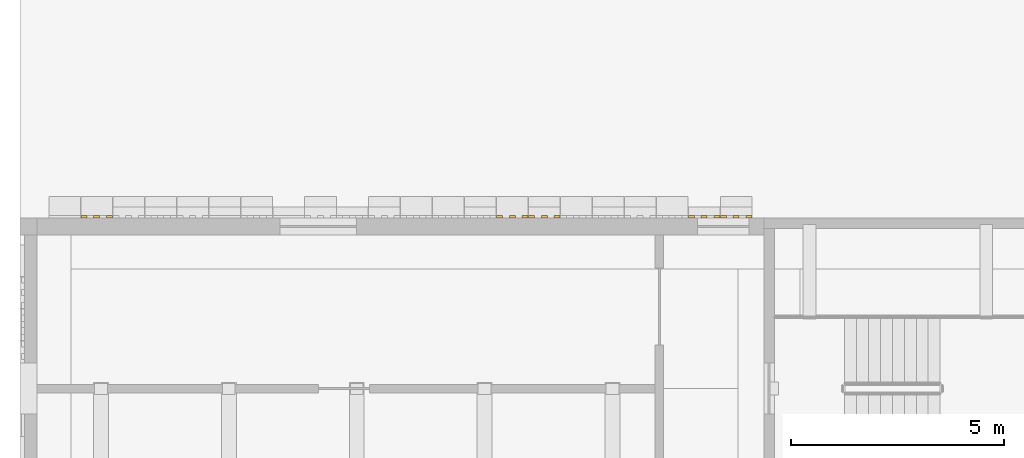
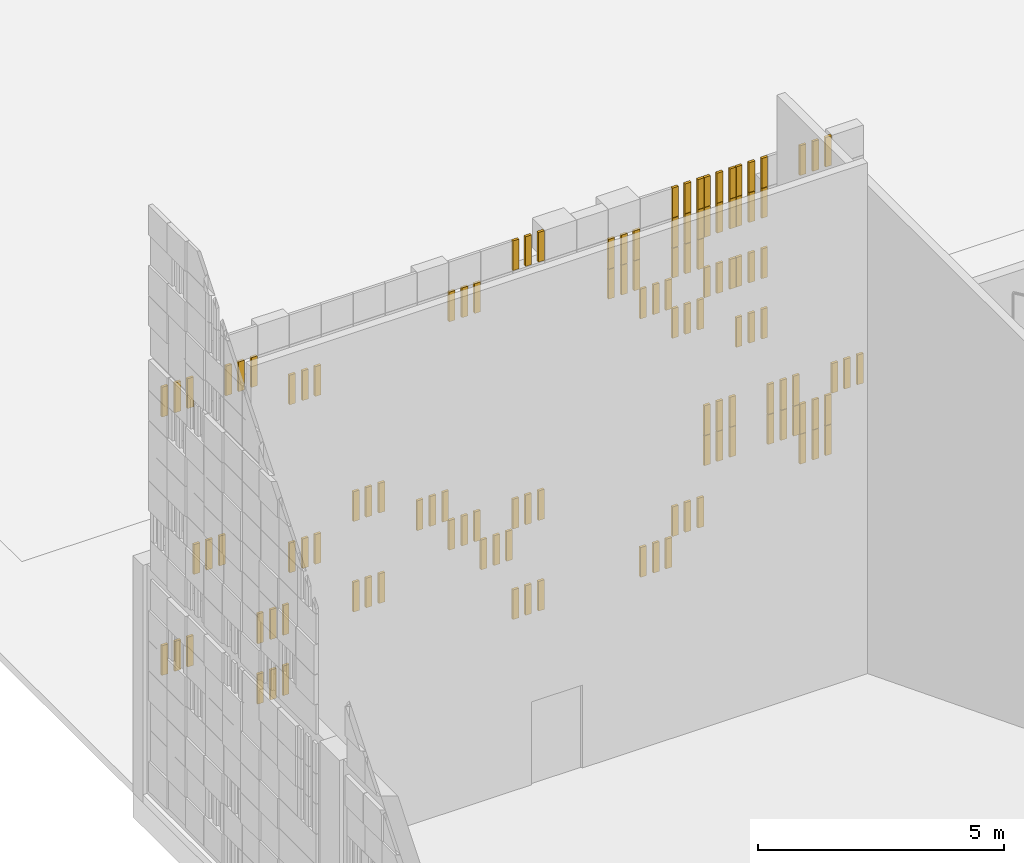
# One storey, part 113 of 125: 1 covering.
"""IFC4 building model written with IfcOpenShell, lengths in metres."""

from ifc_helpers import new_model, si_unit, direction, frame, origin, origin_2d, place, context, subcontext, project, spatial, rectangle, extrude, material, layer, layer_set, type_object, element, save


model = new_model("IFC4")

# Units and contexts
model_context = context("Model", 3, precision=1e-05, world=origin(), true_north=direction((0.0, 1.0)))
body_context = subcontext(model_context, "Body", "Model", "MODEL_VIEW")
ifc_project = project(units=[si_unit("LENGTHUNIT", "METRE"), si_unit("AREAUNIT", "SQUARE_METRE"), si_unit("VOLUMEUNIT", "CUBIC_METRE"), si_unit("PLANEANGLEUNIT", "RADIAN"), si_unit("MASSUNIT", "GRAM", prefix="KILO")], contexts=[model_context])

# Site, building, storey
site_placement = place(None, origin())
site = spatial("IfcSite", under=ifc_project, at=site_placement, CompositionType="ELEMENT")
building_placement = place(site_placement, origin())
building = spatial("IfcBuilding", under=site, at=building_placement, Name="Sun Court Science Centre", CompositionType="ELEMENT")
storey_placement = place(building_placement, origin())
storey = spatial("IfcBuildingStorey", under=building, at=storey_placement, Name="L00", CompositionType="ELEMENT", Elevation=0.0)

# Covering
ifc_material = material(Name="Terracotta jali", Category="masonry")
ifc_layer = layer(ifc_material, 0.06005859375)
ifc_layer_set = layer_set([ifc_layer], Name="Terracotta jali")
covering_type = type_object("IfcCoveringType", Name="Terracotta open jali panel", PredefinedType="CLADDING", material=ifc_layer_set)
covering_placement = place(storey_placement, origin())
element("IfcCovering", 1, at=covering_placement, inside=storey, type_object=covering_type, Name="Open jali pixel cladding north wall L00", PredefinedType="CLADDING", context=body_context, shape_type="SweptSolid", body=[
    extrude(rectangle(XDim=0.139892578125, YDim=0.06005859375, at=origin_2d()), frame((3.0, 72.030029296875, 0.97998046875), z_axis=(0.0, 0.0, 1.0), x_axis=(1.0, 0.0, 0.0)), (0.0, 0.0, 1.0), 0.739990234375),
    extrude(rectangle(XDim=0.139892578125, YDim=0.06005859375, at=origin_2d()), frame((3.300048828125, 72.030029296875, 0.97998046875), z_axis=(0.0, 0.0, 1.0), x_axis=(1.0, 0.0, 0.0)), (0.0, 0.0, 1.0), 0.739990234375),
    extrude(rectangle(XDim=0.139892578125, YDim=0.06005859375, at=origin_2d()), frame((3.60009765625, 72.030029296875, 0.97998046875), z_axis=(0.0, 0.0, 1.0), x_axis=(1.0, 0.0, 0.0)), (0.0, 0.0, 1.0), 0.739990234375),
    extrude(rectangle(XDim=0.139892578125, YDim=0.06005859375, at=origin_2d()), frame((9.0, 72.030029296875, 0.97998046875), z_axis=(0.0, 0.0, 1.0), x_axis=(1.0, 0.0, 0.0)), (0.0, 0.0, 1.0), 0.739990234375),
    extrude(rectangle(XDim=0.139892578125, YDim=0.06005859375, at=origin_2d()), frame((9.300048828125, 72.030029296875, 0.97998046875), z_axis=(0.0, 0.0, 1.0), x_axis=(1.0, 0.0, 0.0)), (0.0, 0.0, 1.0), 0.739990234375),
    extrude(rectangle(XDim=0.139892578125, YDim=0.06005859375, at=origin_2d()), frame((9.60009765625, 72.030029296875, 0.97998046875), z_axis=(0.0, 0.0, 1.0), x_axis=(1.0, 0.0, 0.0)), (0.0, 0.0, 1.0), 0.739990234375),
    extrude(rectangle(XDim=0.139892578125, YDim=0.06005859375, at=origin_2d()), frame((12.0, 72.030029296875, 0.97998046875), z_axis=(0.0, 0.0, 1.0), x_axis=(1.0, 0.0, 0.0)), (0.0, 0.0, 1.0), 0.739990234375),
    extrude(rectangle(XDim=0.139892578125, YDim=0.06005859375, at=origin_2d()), frame((12.300048828125, 72.030029296875, 0.97998046875), z_axis=(0.0, 0.0, 1.0), x_axis=(1.0, 0.0, 0.0)), (0.0, 0.0, 1.0), 0.739990234375),
    extrude(rectangle(XDim=0.139892578125, YDim=0.06005859375, at=origin_2d()), frame((12.60009765625, 72.030029296875, 0.97998046875), z_axis=(0.0, 0.0, 1.0), x_axis=(1.0, 0.0, 0.0)), (0.0, 0.0, 1.0), 0.739990234375),
    extrude(rectangle(XDim=0.139892578125, YDim=0.06005859375, at=origin_2d()), frame((12.75, 72.030029296875, 1.72998046875), z_axis=(0.0, 0.0, 1.0), x_axis=(1.0, 0.0, 0.0)), (0.0, 0.0, 1.0), 0.739990234375),
    extrude(rectangle(XDim=0.139892578125, YDim=0.06005859375, at=origin_2d()), frame((13.050048828125, 72.030029296875, 1.72998046875), z_axis=(0.0, 0.0, 1.0), x_axis=(1.0, 0.0, 0.0)), (0.0, 0.0, 1.0), 0.739990234375),
    extrude(rectangle(XDim=0.139892578125, YDim=0.06005859375, at=origin_2d()), frame((13.35009765625, 72.030029296875, 1.72998046875), z_axis=(0.0, 0.0, 1.0), x_axis=(1.0, 0.0, 0.0)), (0.0, 0.0, 1.0), 0.739990234375),
    extrude(rectangle(XDim=0.139892578125, YDim=0.06005859375, at=origin_2d()), frame((0.75, 72.030029296875, 2.47998046875), z_axis=(0.0, 0.0, 1.0), x_axis=(1.0, 0.0, 0.0)), (0.0, 0.0, 1.0), 0.739990234375),
    extrude(rectangle(XDim=0.139892578125, YDim=0.06005859375, at=origin_2d()), frame((1.050048828125, 72.030029296875, 2.47998046875), z_axis=(0.0, 0.0, 1.0), x_axis=(1.0, 0.0, 0.0)), (0.0, 0.0, 1.0), 0.739990234375),
    extrude(rectangle(XDim=0.139892578125, YDim=0.06005859375, at=origin_2d()), frame((1.35009765625, 72.030029296875, 2.47998046875), z_axis=(0.0, 0.0, 1.0), x_axis=(1.0, 0.0, 0.0)), (0.0, 0.0, 1.0), 0.739990234375),
    extrude(rectangle(XDim=0.139892578125, YDim=0.06005859375, at=origin_2d()), frame((3.0, 72.030029296875, 2.47998046875), z_axis=(0.0, 0.0, 1.0), x_axis=(1.0, 0.0, 0.0)), (0.0, 0.0, 1.0), 0.739990234375),
    extrude(rectangle(XDim=0.139892578125, YDim=0.06005859375, at=origin_2d()), frame((3.300048828125, 72.030029296875, 2.47998046875), z_axis=(0.0, 0.0, 1.0), x_axis=(1.0, 0.0, 0.0)), (0.0, 0.0, 1.0), 0.739990234375),
    extrude(rectangle(XDim=0.139892578125, YDim=0.06005859375, at=origin_2d()), frame((3.60009765625, 72.030029296875, 2.47998046875), z_axis=(0.0, 0.0, 1.0), x_axis=(1.0, 0.0, 0.0)), (0.0, 0.0, 1.0), 0.739990234375),
    extrude(rectangle(XDim=0.139892578125, YDim=0.06005859375, at=origin_2d()), frame((5.25, 72.030029296875, 2.47998046875), z_axis=(0.0, 0.0, 1.0), x_axis=(1.0, 0.0, 0.0)), (0.0, 0.0, 1.0), 0.739990234375),
    extrude(rectangle(XDim=0.139892578125, YDim=0.06005859375, at=origin_2d()), frame((5.550048828125, 72.030029296875, 2.47998046875), z_axis=(0.0, 0.0, 1.0), x_axis=(1.0, 0.0, 0.0)), (0.0, 0.0, 1.0), 0.739990234375),
    extrude(rectangle(XDim=0.139892578125, YDim=0.06005859375, at=origin_2d()), frame((5.85009765625, 72.030029296875, 2.47998046875), z_axis=(0.0, 0.0, 1.0), x_axis=(1.0, 0.0, 0.0)), (0.0, 0.0, 1.0), 0.739990234375),
    extrude(rectangle(XDim=0.139892578125, YDim=0.06005859375, at=origin_2d()), frame((8.25, 72.030029296875, 2.47998046875), z_axis=(0.0, 0.0, 1.0), x_axis=(1.0, 0.0, 0.0)), (0.0, 0.0, 1.0), 0.739990234375),
    extrude(rectangle(XDim=0.139892578125, YDim=0.06005859375, at=origin_2d()), frame((8.550048828125, 72.030029296875, 2.47998046875), z_axis=(0.0, 0.0, 1.0), x_axis=(1.0, 0.0, 0.0)), (0.0, 0.0, 1.0), 0.739990234375),
    extrude(rectangle(XDim=0.139892578125, YDim=0.06005859375, at=origin_2d()), frame((8.85009765625, 72.030029296875, 2.47998046875), z_axis=(0.0, 0.0, 1.0), x_axis=(1.0, 0.0, 0.0)), (0.0, 0.0, 1.0), 0.739990234375),
    extrude(rectangle(XDim=0.139892578125, YDim=0.06005859375, at=origin_2d()), frame((15.75, 72.030029296875, 2.47998046875), z_axis=(0.0, 0.0, 1.0), x_axis=(1.0, 0.0, 0.0)), (0.0, 0.0, 1.0), 0.739990234375),
    extrude(rectangle(XDim=0.139892578125, YDim=0.06005859375, at=origin_2d()), frame((16.050048828125, 72.030029296875, 2.47998046875), z_axis=(0.0, 0.0, 1.0), x_axis=(1.0, 0.0, 0.0)), (0.0, 0.0, 1.0), 0.739990234375),
    extrude(rectangle(XDim=0.139892578125, YDim=0.06005859375, at=origin_2d()), frame((16.35009765625, 72.030029296875, 2.47998046875), z_axis=(0.0, 0.0, 1.0), x_axis=(1.0, 0.0, 0.0)), (0.0, 0.0, 1.0), 0.739990234375),
    extrude(rectangle(XDim=0.139892578125, YDim=0.06005859375, at=origin_2d()), frame((7.5, 72.030029296875, 3.22998046875), z_axis=(0.0, 0.0, 1.0), x_axis=(1.0, 0.0, 0.0)), (0.0, 0.0, 1.0), 0.739990234375),
    extrude(rectangle(XDim=0.139892578125, YDim=0.06005859375, at=origin_2d()), frame((7.800048828125, 72.030029296875, 3.22998046875), z_axis=(0.0, 0.0, 1.0), x_axis=(1.0, 0.0, 0.0)), (0.0, 0.0, 1.0), 0.739990234375),
    extrude(rectangle(XDim=0.139892578125, YDim=0.06005859375, at=origin_2d()), frame((8.10009765625, 72.030029296875, 3.22998046875), z_axis=(0.0, 0.0, 1.0), x_axis=(1.0, 0.0, 0.0)), (0.0, 0.0, 1.0), 0.739990234375),
    extrude(rectangle(XDim=0.139892578125, YDim=0.06005859375, at=origin_2d()), frame((9.0, 72.030029296875, 3.22998046875), z_axis=(0.0, 0.0, 1.0), x_axis=(1.0, 0.0, 0.0)), (0.0, 0.0, 1.0), 0.739990234375),
    extrude(rectangle(XDim=0.139892578125, YDim=0.06005859375, at=origin_2d()), frame((9.300048828125, 72.030029296875, 3.22998046875), z_axis=(0.0, 0.0, 1.0), x_axis=(1.0, 0.0, 0.0)), (0.0, 0.0, 1.0), 0.739990234375),
    extrude(rectangle(XDim=0.139892578125, YDim=0.06005859375, at=origin_2d()), frame((9.60009765625, 72.030029296875, 3.22998046875), z_axis=(0.0, 0.0, 1.0), x_axis=(1.0, 0.0, 0.0)), (0.0, 0.0, 1.0), 0.739990234375),
    extrude(rectangle(XDim=0.139892578125, YDim=0.06005859375, at=origin_2d()), frame((13.5, 72.030029296875, 3.22998046875), z_axis=(0.0, 0.0, 1.0), x_axis=(1.0, 0.0, 0.0)), (0.0, 0.0, 1.0), 0.739990234375),
    extrude(rectangle(XDim=0.139892578125, YDim=0.06005859375, at=origin_2d()), frame((13.800048828125, 72.030029296875, 3.22998046875), z_axis=(0.0, 0.0, 1.0), x_axis=(1.0, 0.0, 0.0)), (0.0, 0.0, 1.0), 0.739990234375),
    extrude(rectangle(XDim=0.139892578125, YDim=0.06005859375, at=origin_2d()), frame((14.10009765625, 72.030029296875, 3.22998046875), z_axis=(0.0, 0.0, 1.0), x_axis=(1.0, 0.0, 0.0)), (0.0, 0.0, 1.0), 0.739990234375),
    extrude(rectangle(XDim=0.139892578125, YDim=0.06005859375, at=origin_2d()), frame((15.0, 72.030029296875, 3.22998046875), z_axis=(0.0, 0.0, 1.0), x_axis=(1.0, 0.0, 0.0)), (0.0, 0.0, 1.0), 0.739990234375),
    extrude(rectangle(XDim=0.139892578125, YDim=0.06005859375, at=origin_2d()), frame((15.300048828125, 72.030029296875, 3.22998046875), z_axis=(0.0, 0.0, 1.0), x_axis=(1.0, 0.0, 0.0)), (0.0, 0.0, 1.0), 0.739990234375),
    extrude(rectangle(XDim=0.139892578125, YDim=0.06005859375, at=origin_2d()), frame((15.60009765625, 72.030029296875, 3.22998046875), z_axis=(0.0, 0.0, 1.0), x_axis=(1.0, 0.0, 0.0)), (0.0, 0.0, 1.0), 0.739990234375),
    extrude(rectangle(XDim=0.139892578125, YDim=0.06005859375, at=origin_2d()), frame((15.75, 72.030029296875, 3.22998046875), z_axis=(0.0, 0.0, 1.0), x_axis=(1.0, 0.0, 0.0)), (0.0, 0.0, 1.0), 0.739990234375),
    extrude(rectangle(XDim=0.139892578125, YDim=0.06005859375, at=origin_2d()), frame((16.050048828125, 72.030029296875, 3.22998046875), z_axis=(0.0, 0.0, 1.0), x_axis=(1.0, 0.0, 0.0)), (0.0, 0.0, 1.0), 0.739990234375),
    extrude(rectangle(XDim=0.139892578125, YDim=0.06005859375, at=origin_2d()), frame((16.35009765625, 72.030029296875, 3.22998046875), z_axis=(0.0, 0.0, 1.0), x_axis=(1.0, 0.0, 0.0)), (0.0, 0.0, 1.0), 0.739990234375),
    extrude(rectangle(XDim=0.139892578125, YDim=0.06005859375, at=origin_2d()), frame((3.75, 72.030029296875, 3.97998046875), z_axis=(0.0, 0.0, 1.0), x_axis=(1.0, 0.0, 0.0)), (0.0, 0.0, 1.0), 0.739990234375),
    extrude(rectangle(XDim=0.139892578125, YDim=0.06005859375, at=origin_2d()), frame((4.050048828125, 72.030029296875, 3.97998046875), z_axis=(0.0, 0.0, 1.0), x_axis=(1.0, 0.0, 0.0)), (0.0, 0.0, 1.0), 0.739990234375),
    extrude(rectangle(XDim=0.139892578125, YDim=0.06005859375, at=origin_2d()), frame((4.35009765625, 72.030029296875, 3.97998046875), z_axis=(0.0, 0.0, 1.0), x_axis=(1.0, 0.0, 0.0)), (0.0, 0.0, 1.0), 0.739990234375),
    extrude(rectangle(XDim=0.139892578125, YDim=0.06005859375, at=origin_2d()), frame((6.75, 72.030029296875, 3.97998046875), z_axis=(0.0, 0.0, 1.0), x_axis=(1.0, 0.0, 0.0)), (0.0, 0.0, 1.0), 0.739990234375),
    extrude(rectangle(XDim=0.139892578125, YDim=0.06005859375, at=origin_2d()), frame((7.050048828125, 72.030029296875, 3.97998046875), z_axis=(0.0, 0.0, 1.0), x_axis=(1.0, 0.0, 0.0)), (0.0, 0.0, 1.0), 0.739990234375),
    extrude(rectangle(XDim=0.139892578125, YDim=0.06005859375, at=origin_2d()), frame((7.35009765625, 72.030029296875, 3.97998046875), z_axis=(0.0, 0.0, 1.0), x_axis=(1.0, 0.0, 0.0)), (0.0, 0.0, 1.0), 0.739990234375),
    extrude(rectangle(XDim=0.139892578125, YDim=0.06005859375, at=origin_2d()), frame((13.5, 72.030029296875, 3.97998046875), z_axis=(0.0, 0.0, 1.0), x_axis=(1.0, 0.0, 0.0)), (0.0, 0.0, 1.0), 0.739990234375),
    extrude(rectangle(XDim=0.139892578125, YDim=0.06005859375, at=origin_2d()), frame((13.800048828125, 72.030029296875, 3.97998046875), z_axis=(0.0, 0.0, 1.0), x_axis=(1.0, 0.0, 0.0)), (0.0, 0.0, 1.0), 0.739990234375),
    extrude(rectangle(XDim=0.139892578125, YDim=0.06005859375, at=origin_2d()), frame((14.10009765625, 72.030029296875, 3.97998046875), z_axis=(0.0, 0.0, 1.0), x_axis=(1.0, 0.0, 0.0)), (0.0, 0.0, 1.0), 0.739990234375),
    extrude(rectangle(XDim=0.139892578125, YDim=0.06005859375, at=origin_2d()), frame((15.0, 72.030029296875, 3.97998046875), z_axis=(0.0, 0.0, 1.0), x_axis=(1.0, 0.0, 0.0)), (0.0, 0.0, 1.0), 0.739990234375),
    extrude(rectangle(XDim=0.139892578125, YDim=0.06005859375, at=origin_2d()), frame((15.300048828125, 72.030029296875, 3.97998046875), z_axis=(0.0, 0.0, 1.0), x_axis=(1.0, 0.0, 0.0)), (0.0, 0.0, 1.0), 0.739990234375),
    extrude(rectangle(XDim=0.139892578125, YDim=0.06005859375, at=origin_2d()), frame((15.60009765625, 72.030029296875, 3.97998046875), z_axis=(0.0, 0.0, 1.0), x_axis=(1.0, 0.0, 0.0)), (0.0, 0.0, 1.0), 0.739990234375),
    extrude(rectangle(XDim=0.139892578125, YDim=0.06005859375, at=origin_2d()), frame((16.5, 72.030029296875, 3.97998046875), z_axis=(0.0, 0.0, 1.0), x_axis=(1.0, 0.0, 0.0)), (0.0, 0.0, 1.0), 0.739990234375),
    extrude(rectangle(XDim=0.139892578125, YDim=0.06005859375, at=origin_2d()), frame((16.800048828125, 72.030029296875, 3.97998046875), z_axis=(0.0, 0.0, 1.0), x_axis=(1.0, 0.0, 0.0)), (0.0, 0.0, 1.0), 0.739990234375),
    extrude(rectangle(XDim=0.139892578125, YDim=0.06005859375, at=origin_2d()), frame((17.10009765625, 72.030029296875, 3.97998046875), z_axis=(0.0, 0.0, 1.0), x_axis=(1.0, 0.0, 0.0)), (0.0, 0.0, 1.0), 0.739990234375),
    extrude(rectangle(XDim=0.139892578125, YDim=0.06005859375, at=origin_2d()), frame((1.5, 72.030029296875, 4.72998046875), z_axis=(0.0, 0.0, 1.0), x_axis=(1.0, 0.0, 0.0)), (0.0, 0.0, 1.0), 0.739990234375),
    extrude(rectangle(XDim=0.139892578125, YDim=0.06005859375, at=origin_2d()), frame((1.800048828125, 72.030029296875, 4.72998046875), z_axis=(0.0, 0.0, 1.0), x_axis=(1.0, 0.0, 0.0)), (0.0, 0.0, 1.0), 0.739990234375),
    extrude(rectangle(XDim=0.139892578125, YDim=0.06005859375, at=origin_2d()), frame((2.10009765625, 72.030029296875, 4.72998046875), z_axis=(0.0, 0.0, 1.0), x_axis=(1.0, 0.0, 0.0)), (0.0, 0.0, 1.0), 0.739990234375),
    extrude(rectangle(XDim=0.139892578125, YDim=0.06005859375, at=origin_2d()), frame((5.25, 72.030029296875, 4.72998046875), z_axis=(0.0, 0.0, 1.0), x_axis=(1.0, 0.0, 0.0)), (0.0, 0.0, 1.0), 0.739990234375),
    extrude(rectangle(XDim=0.139892578125, YDim=0.06005859375, at=origin_2d()), frame((5.550048828125, 72.030029296875, 4.72998046875), z_axis=(0.0, 0.0, 1.0), x_axis=(1.0, 0.0, 0.0)), (0.0, 0.0, 1.0), 0.739990234375),
    extrude(rectangle(XDim=0.139892578125, YDim=0.06005859375, at=origin_2d()), frame((5.85009765625, 72.030029296875, 4.72998046875), z_axis=(0.0, 0.0, 1.0), x_axis=(1.0, 0.0, 0.0)), (0.0, 0.0, 1.0), 0.739990234375),
    extrude(rectangle(XDim=0.139892578125, YDim=0.06005859375, at=origin_2d()), frame((14.25, 72.030029296875, 5.90478515625), z_axis=(0.0, 0.0, 1.0), x_axis=(1.0, 0.0, 0.0)), (0.0, 0.0, 1.0), 0.739990234375),
    extrude(rectangle(XDim=0.139892578125, YDim=0.06005859375, at=origin_2d()), frame((14.550048828125, 72.030029296875, 5.90478515625), z_axis=(0.0, 0.0, 1.0), x_axis=(1.0, 0.0, 0.0)), (0.0, 0.0, 1.0), 0.739990234375),
    extrude(rectangle(XDim=0.139892578125, YDim=0.06005859375, at=origin_2d()), frame((14.85009765625, 72.030029296875, 5.90478515625), z_axis=(0.0, 0.0, 1.0), x_axis=(1.0, 0.0, 0.0)), (0.0, 0.0, 1.0), 0.739990234375),
    extrude(rectangle(XDim=0.139892578125, YDim=0.06005859375, at=origin_2d()), frame((12.75, 72.030029296875, 6.65478515625), z_axis=(0.0, 0.0, 1.0), x_axis=(1.0, 0.0, 0.0)), (0.0, 0.0, 1.0), 0.739990234375),
    extrude(rectangle(XDim=0.139892578125, YDim=0.06005859375, at=origin_2d()), frame((13.050048828125, 72.030029296875, 6.65478515625), z_axis=(0.0, 0.0, 1.0), x_axis=(1.0, 0.0, 0.0)), (0.0, 0.0, 1.0), 0.739990234375),
    extrude(rectangle(XDim=0.139892578125, YDim=0.06005859375, at=origin_2d()), frame((13.35009765625, 72.030029296875, 6.65478515625), z_axis=(0.0, 0.0, 1.0), x_axis=(1.0, 0.0, 0.0)), (0.0, 0.0, 1.0), 0.739990234375),
    extrude(rectangle(XDim=0.139892578125, YDim=0.06005859375, at=origin_2d()), frame((12.0, 72.030029296875, 7.40478515625), z_axis=(0.0, 0.0, 1.0), x_axis=(1.0, 0.0, 0.0)), (0.0, 0.0, 1.0), 0.739990234375),
    extrude(rectangle(XDim=0.139892578125, YDim=0.06005859375, at=origin_2d()), frame((12.300048828125, 72.030029296875, 7.40478515625), z_axis=(0.0, 0.0, 1.0), x_axis=(1.0, 0.0, 0.0)), (0.0, 0.0, 1.0), 0.739990234375),
    extrude(rectangle(XDim=0.139892578125, YDim=0.06005859375, at=origin_2d()), frame((12.60009765625, 72.030029296875, 7.40478515625), z_axis=(0.0, 0.0, 1.0), x_axis=(1.0, 0.0, 0.0)), (0.0, 0.0, 1.0), 0.739990234375),
    extrude(rectangle(XDim=0.139892578125, YDim=0.06005859375, at=origin_2d()), frame((13.5, 72.030029296875, 7.40478515625), z_axis=(0.0, 0.0, 1.0), x_axis=(1.0, 0.0, 0.0)), (0.0, 0.0, 1.0), 0.739990234375),
    extrude(rectangle(XDim=0.139892578125, YDim=0.06005859375, at=origin_2d()), frame((13.800048828125, 72.030029296875, 7.40478515625), z_axis=(0.0, 0.0, 1.0), x_axis=(1.0, 0.0, 0.0)), (0.0, 0.0, 1.0), 0.739990234375),
    extrude(rectangle(XDim=0.139892578125, YDim=0.06005859375, at=origin_2d()), frame((14.10009765625, 72.030029296875, 7.40478515625), z_axis=(0.0, 0.0, 1.0), x_axis=(1.0, 0.0, 0.0)), (0.0, 0.0, 1.0), 0.739990234375),
    extrude(rectangle(XDim=0.139892578125, YDim=0.06005859375, at=origin_2d()), frame((14.25, 72.030029296875, 7.40478515625), z_axis=(0.0, 0.0, 1.0), x_axis=(1.0, 0.0, 0.0)), (0.0, 0.0, 1.0), 0.739990234375),
    extrude(rectangle(XDim=0.139892578125, YDim=0.06005859375, at=origin_2d()), frame((14.550048828125, 72.030029296875, 7.40478515625), z_axis=(0.0, 0.0, 1.0), x_axis=(1.0, 0.0, 0.0)), (0.0, 0.0, 1.0), 0.739990234375),
    extrude(rectangle(XDim=0.139892578125, YDim=0.06005859375, at=origin_2d()), frame((14.85009765625, 72.030029296875, 7.40478515625), z_axis=(0.0, 0.0, 1.0), x_axis=(1.0, 0.0, 0.0)), (0.0, 0.0, 1.0), 0.739990234375),
    extrude(rectangle(XDim=0.139892578125, YDim=0.06005859375, at=origin_2d()), frame((3.75, 72.030029296875, 8.15478515625), z_axis=(0.0, 0.0, 1.0), x_axis=(1.0, 0.0, 0.0)), (0.0, 0.0, 1.0), 0.739990234375),
    extrude(rectangle(XDim=0.139892578125, YDim=0.06005859375, at=origin_2d()), frame((4.050048828125, 72.030029296875, 8.15478515625), z_axis=(0.0, 0.0, 1.0), x_axis=(1.0, 0.0, 0.0)), (0.0, 0.0, 1.0), 0.739990234375),
    extrude(rectangle(XDim=0.139892578125, YDim=0.06005859375, at=origin_2d()), frame((4.35009765625, 72.030029296875, 8.15478515625), z_axis=(0.0, 0.0, 1.0), x_axis=(1.0, 0.0, 0.0)), (0.0, 0.0, 1.0), 0.739990234375),
    extrude(rectangle(XDim=0.139892578125, YDim=0.06005859375, at=origin_2d()), frame((11.25, 72.030029296875, 8.15478515625), z_axis=(0.0, 0.0, 1.0), x_axis=(1.0, 0.0, 0.0)), (0.0, 0.0, 1.0), 0.739990234375),
    extrude(rectangle(XDim=0.139892578125, YDim=0.06005859375, at=origin_2d()), frame((11.550048828125, 72.030029296875, 8.15478515625), z_axis=(0.0, 0.0, 1.0), x_axis=(1.0, 0.0, 0.0)), (0.0, 0.0, 1.0), 0.739990234375),
    extrude(rectangle(XDim=0.139892578125, YDim=0.06005859375, at=origin_2d()), frame((11.85009765625, 72.030029296875, 8.15478515625), z_axis=(0.0, 0.0, 1.0), x_axis=(1.0, 0.0, 0.0)), (0.0, 0.0, 1.0), 0.739990234375),
    extrude(rectangle(XDim=0.139892578125, YDim=0.06005859375, at=origin_2d()), frame((12.75, 72.030029296875, 8.15478515625), z_axis=(0.0, 0.0, 1.0), x_axis=(1.0, 0.0, 0.0)), (0.0, 0.0, 1.0), 0.739990234375),
    extrude(rectangle(XDim=0.139892578125, YDim=0.06005859375, at=origin_2d()), frame((13.050048828125, 72.030029296875, 8.15478515625), z_axis=(0.0, 0.0, 1.0), x_axis=(1.0, 0.0, 0.0)), (0.0, 0.0, 1.0), 0.739990234375),
    extrude(rectangle(XDim=0.139892578125, YDim=0.06005859375, at=origin_2d()), frame((13.35009765625, 72.030029296875, 8.15478515625), z_axis=(0.0, 0.0, 1.0), x_axis=(1.0, 0.0, 0.0)), (0.0, 0.0, 1.0), 0.739990234375),
    extrude(rectangle(XDim=0.139892578125, YDim=0.06005859375, at=origin_2d()), frame((0.75, 72.030029296875, 8.90478515625), z_axis=(0.0, 0.0, 1.0), x_axis=(1.0, 0.0, 0.0)), (0.0, 0.0, 1.0), 0.739990234375),
    extrude(rectangle(XDim=0.139892578125, YDim=0.06005859375, at=origin_2d()), frame((1.050048828125, 72.030029296875, 8.90478515625), z_axis=(0.0, 0.0, 1.0), x_axis=(1.0, 0.0, 0.0)), (0.0, 0.0, 1.0), 0.739990234375),
    extrude(rectangle(XDim=0.139892578125, YDim=0.06005859375, at=origin_2d()), frame((1.35009765625, 72.030029296875, 8.90478515625), z_axis=(0.0, 0.0, 1.0), x_axis=(1.0, 0.0, 0.0)), (0.0, 0.0, 1.0), 0.739990234375),
    extrude(rectangle(XDim=0.139892578125, YDim=0.06005859375, at=origin_2d()), frame((2.25, 72.030029296875, 8.90478515625), z_axis=(0.0, 0.0, 1.0), x_axis=(1.0, 0.0, 0.0)), (0.0, 0.0, 1.0), 0.739990234375),
    extrude(rectangle(XDim=0.139892578125, YDim=0.06005859375, at=origin_2d()), frame((2.550048828125, 72.030029296875, 8.90478515625), z_axis=(0.0, 0.0, 1.0), x_axis=(1.0, 0.0, 0.0)), (0.0, 0.0, 1.0), 0.739990234375),
    extrude(rectangle(XDim=0.139892578125, YDim=0.06005859375, at=origin_2d()), frame((2.85009765625, 72.030029296875, 8.90478515625), z_axis=(0.0, 0.0, 1.0), x_axis=(1.0, 0.0, 0.0)), (0.0, 0.0, 1.0), 0.739990234375),
    extrude(rectangle(XDim=0.139892578125, YDim=0.06005859375, at=origin_2d()), frame((7.5, 72.030029296875, 8.90478515625), z_axis=(0.0, 0.0, 1.0), x_axis=(1.0, 0.0, 0.0)), (0.0, 0.0, 1.0), 0.739990234375),
    extrude(rectangle(XDim=0.139892578125, YDim=0.06005859375, at=origin_2d()), frame((7.800048828125, 72.030029296875, 8.90478515625), z_axis=(0.0, 0.0, 1.0), x_axis=(1.0, 0.0, 0.0)), (0.0, 0.0, 1.0), 0.739990234375),
    extrude(rectangle(XDim=0.139892578125, YDim=0.06005859375, at=origin_2d()), frame((8.10009765625, 72.030029296875, 8.90478515625), z_axis=(0.0, 0.0, 1.0), x_axis=(1.0, 0.0, 0.0)), (0.0, 0.0, 1.0), 0.739990234375),
    extrude(rectangle(XDim=0.139892578125, YDim=0.06005859375, at=origin_2d()), frame((11.25, 72.030029296875, 8.90478515625), z_axis=(0.0, 0.0, 1.0), x_axis=(1.0, 0.0, 0.0)), (0.0, 0.0, 1.0), 0.739990234375),
    extrude(rectangle(XDim=0.139892578125, YDim=0.06005859375, at=origin_2d()), frame((11.550048828125, 72.030029296875, 8.90478515625), z_axis=(0.0, 0.0, 1.0), x_axis=(1.0, 0.0, 0.0)), (0.0, 0.0, 1.0), 0.739990234375),
    extrude(rectangle(XDim=0.139892578125, YDim=0.06005859375, at=origin_2d()), frame((11.85009765625, 72.030029296875, 8.90478515625), z_axis=(0.0, 0.0, 1.0), x_axis=(1.0, 0.0, 0.0)), (0.0, 0.0, 1.0), 0.739990234375),
    extrude(rectangle(XDim=0.139892578125, YDim=0.06005859375, at=origin_2d()), frame((12.75, 72.030029296875, 8.90478515625), z_axis=(0.0, 0.0, 1.0), x_axis=(1.0, 0.0, 0.0)), (0.0, 0.0, 1.0), 0.739990234375),
    extrude(rectangle(XDim=0.139892578125, YDim=0.06005859375, at=origin_2d()), frame((13.050048828125, 72.030029296875, 8.90478515625), z_axis=(0.0, 0.0, 1.0), x_axis=(1.0, 0.0, 0.0)), (0.0, 0.0, 1.0), 0.739990234375),
    extrude(rectangle(XDim=0.139892578125, YDim=0.06005859375, at=origin_2d()), frame((13.35009765625, 72.030029296875, 8.90478515625), z_axis=(0.0, 0.0, 1.0), x_axis=(1.0, 0.0, 0.0)), (0.0, 0.0, 1.0), 0.739990234375),
    extrude(rectangle(XDim=0.139892578125, YDim=0.06005859375, at=origin_2d()), frame((13.5, 72.030029296875, 8.90478515625), z_axis=(0.0, 0.0, 1.0), x_axis=(1.0, 0.0, 0.0)), (0.0, 0.0, 1.0), 0.739990234375),
    extrude(rectangle(XDim=0.139892578125, YDim=0.06005859375, at=origin_2d()), frame((13.800048828125, 72.030029296875, 8.90478515625), z_axis=(0.0, 0.0, 1.0), x_axis=(1.0, 0.0, 0.0)), (0.0, 0.0, 1.0), 0.739990234375),
    extrude(rectangle(XDim=0.139892578125, YDim=0.06005859375, at=origin_2d()), frame((14.10009765625, 72.030029296875, 8.90478515625), z_axis=(0.0, 0.0, 1.0), x_axis=(1.0, 0.0, 0.0)), (0.0, 0.0, 1.0), 0.739990234375),
    extrude(rectangle(XDim=0.139892578125, YDim=0.06005859375, at=origin_2d()), frame((14.25, 72.030029296875, 8.90478515625), z_axis=(0.0, 0.0, 1.0), x_axis=(1.0, 0.0, 0.0)), (0.0, 0.0, 1.0), 0.739990234375),
    extrude(rectangle(XDim=0.139892578125, YDim=0.06005859375, at=origin_2d()), frame((14.550048828125, 72.030029296875, 8.90478515625), z_axis=(0.0, 0.0, 1.0), x_axis=(1.0, 0.0, 0.0)), (0.0, 0.0, 1.0), 0.739990234375),
    extrude(rectangle(XDim=0.139892578125, YDim=0.06005859375, at=origin_2d()), frame((14.85009765625, 72.030029296875, 8.90478515625), z_axis=(0.0, 0.0, 1.0), x_axis=(1.0, 0.0, 0.0)), (0.0, 0.0, 1.0), 0.739990234375),
    extrude(rectangle(XDim=0.139892578125, YDim=0.06005859375, at=origin_2d()), frame((9.0, 72.030029296875, 9.65478515625), z_axis=(0.0, 0.0, 1.0), x_axis=(1.0, 0.0, 0.0)), (0.0, 0.0, 1.0), 0.739990234375),
    extrude(rectangle(XDim=0.139892578125, YDim=0.06005859375, at=origin_2d()), frame((9.300048828125, 72.030029296875, 9.65478515625), z_axis=(0.0, 0.0, 1.0), x_axis=(1.0, 0.0, 0.0)), (0.0, 0.0, 1.0), 0.739990234375),
    extrude(rectangle(XDim=0.139892578125, YDim=0.06005859375, at=origin_2d()), frame((9.60009765625, 72.030029296875, 9.65478515625), z_axis=(0.0, 0.0, 1.0), x_axis=(1.0, 0.0, 0.0)), (0.0, 0.0, 1.0), 0.739990234375),
    extrude(rectangle(XDim=0.139892578125, YDim=0.06005859375, at=origin_2d()), frame((12.75, 72.030029296875, 9.65478515625), z_axis=(0.0, 0.0, 1.0), x_axis=(1.0, 0.0, 0.0)), (0.0, 0.0, 1.0), 0.739990234375),
    extrude(rectangle(XDim=0.139892578125, YDim=0.06005859375, at=origin_2d()), frame((13.050048828125, 72.030029296875, 9.65478515625), z_axis=(0.0, 0.0, 1.0), x_axis=(1.0, 0.0, 0.0)), (0.0, 0.0, 1.0), 0.739990234375),
    extrude(rectangle(XDim=0.139892578125, YDim=0.06005859375, at=origin_2d()), frame((13.35009765625, 72.030029296875, 9.65478515625), z_axis=(0.0, 0.0, 1.0), x_axis=(1.0, 0.0, 0.0)), (0.0, 0.0, 1.0), 0.739990234375),
    extrude(rectangle(XDim=0.139892578125, YDim=0.06005859375, at=origin_2d()), frame((13.5, 72.030029296875, 9.65478515625), z_axis=(0.0, 0.0, 1.0), x_axis=(1.0, 0.0, 0.0)), (0.0, 0.0, 1.0), 0.739990234375),
    extrude(rectangle(XDim=0.139892578125, YDim=0.06005859375, at=origin_2d()), frame((13.800048828125, 72.030029296875, 9.65478515625), z_axis=(0.0, 0.0, 1.0), x_axis=(1.0, 0.0, 0.0)), (0.0, 0.0, 1.0), 0.739990234375),
    extrude(rectangle(XDim=0.139892578125, YDim=0.06005859375, at=origin_2d()), frame((14.10009765625, 72.030029296875, 9.65478515625), z_axis=(0.0, 0.0, 1.0), x_axis=(1.0, 0.0, 0.0)), (0.0, 0.0, 1.0), 0.739990234375),
    extrude(rectangle(XDim=0.139892578125, YDim=0.06005859375, at=origin_2d()), frame((14.25, 72.030029296875, 9.65478515625), z_axis=(0.0, 0.0, 1.0), x_axis=(1.0, 0.0, 0.0)), (0.0, 0.0, 1.0), 0.739990234375),
    extrude(rectangle(XDim=0.139892578125, YDim=0.06005859375, at=origin_2d()), frame((14.550048828125, 72.030029296875, 9.65478515625), z_axis=(0.0, 0.0, 1.0), x_axis=(1.0, 0.0, 0.0)), (0.0, 0.0, 1.0), 0.739990234375),
    extrude(rectangle(XDim=0.139892578125, YDim=0.06005859375, at=origin_2d()), frame((14.85009765625, 72.030029296875, 9.65478515625), z_axis=(0.0, 0.0, 1.0), x_axis=(1.0, 0.0, 0.0)), (0.0, 0.0, 1.0), 0.739990234375),
    extrude(rectangle(XDim=0.139892578125, YDim=0.06005859375, at=origin_2d()), frame((15.75, 72.030029296875, 9.65478515625), z_axis=(0.0, 0.0, 1.0), x_axis=(1.0, 0.0, 0.0)), (0.0, 0.0, 1.0), 0.739990234375),
    extrude(rectangle(XDim=0.139892578125, YDim=0.06005859375, at=origin_2d()), frame((16.050048828125, 72.030029296875, 9.65478515625), z_axis=(0.0, 0.0, 1.0), x_axis=(1.0, 0.0, 0.0)), (0.0, 0.0, 1.0), 0.739990234375),
    extrude(rectangle(XDim=0.139892578125, YDim=0.06005859375, at=origin_2d()), frame((16.35009765625, 72.030029296875, 9.65478515625), z_axis=(0.0, 0.0, 1.0), x_axis=(1.0, 0.0, 0.0)), (0.0, 0.0, 1.0), 0.739990234375),
])

save(model, "model.ifc")
